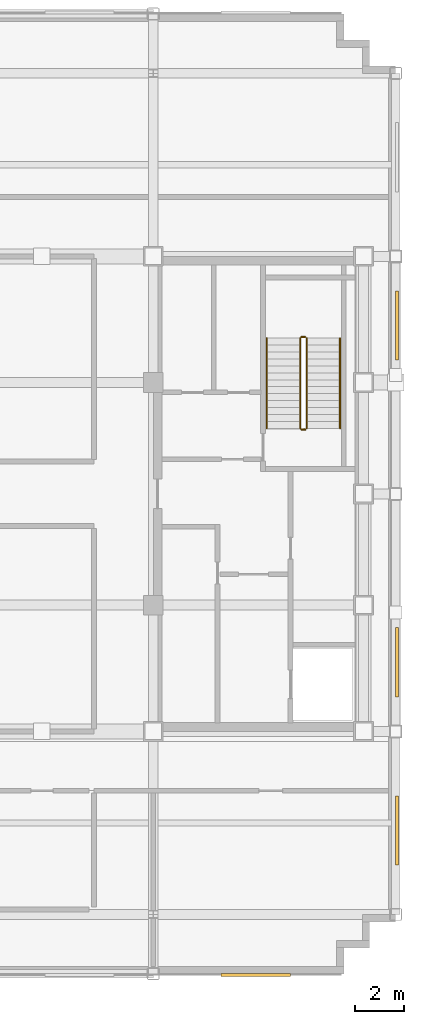
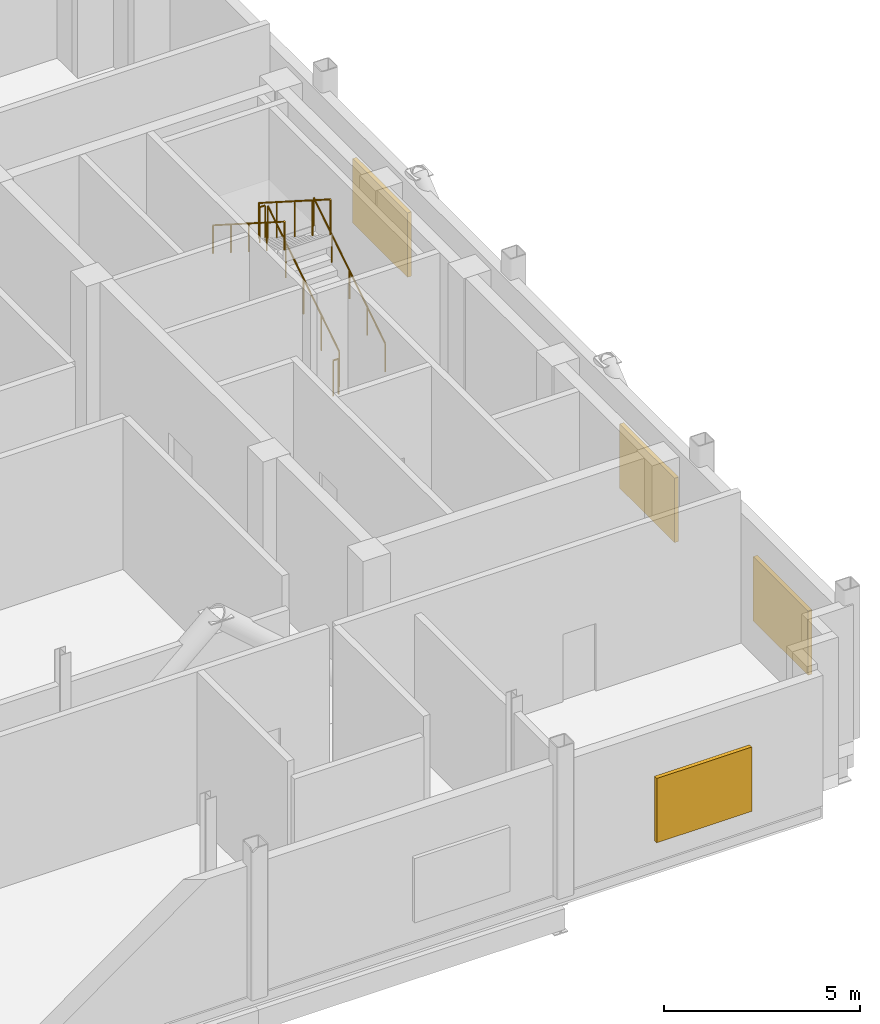
# One storey, part 11 of 12: 6 railings, 4 shading devices.
"""IFC4 building model written with IfcOpenShell, lengths in metres."""

from ifc_helpers import new_model, si_unit, direction, frame, origin, origin_2d, place, context, subcontext, project, spatial, rectangle, circle, extrude, source, transform, mapped, material, type_object, type_shapes, element, save


model = new_model("IFC4")

# Units and contexts
model_context = context("Model", 3, precision=1e-05, world=origin(), true_north=direction((0.0, 1.0)))
body_context = subcontext(model_context, "Body", "Model", "MODEL_VIEW")
ifc_project = project(units=[si_unit("LENGTHUNIT", "METRE"), si_unit("AREAUNIT", "SQUARE_METRE"), si_unit("VOLUMEUNIT", "CUBIC_METRE"), si_unit("PLANEANGLEUNIT", "RADIAN"), si_unit("MASSUNIT", "GRAM", prefix="KILO")], contexts=[model_context])

# Site, building, storey
site_placement = place(None, origin())
site = spatial("IfcSite", under=ifc_project, at=site_placement, CompositionType="ELEMENT")
building_placement = place(site_placement, origin())
building = spatial("IfcBuilding", under=site, at=building_placement, Name="Nuvemarco Arch Tower", CompositionType="ELEMENT")
storey_placement = place(building_placement, frame((0.0, 0.0, 252.949951171875)))
storey = spatial("IfcBuildingStorey", under=building, at=storey_placement, Name="L67", CompositionType="ELEMENT", Elevation=252.949951171875)

# Railings
ifc_material_1 = material(Name="Brushed stainless steel handrail", Category="steel")
railing_type_1 = type_object("IfcRailingType", Name="RL-HANDRAIL-900", PredefinedType="HANDRAIL", material=ifc_material_1)
railing_1_placement = place(storey_placement, frame((16.550048828125, 2.64990234375, 0.1787109375)))
element("IfcRailing", 1, at=railing_1_placement, inside=storey, type_object=railing_type_1, Name="L67 ST-2 stair handrail 1", PredefinedType="HANDRAIL", context=body_context, shape_type="SweptSolid", body=[
    extrude(circle(Radius=0.02392578125, at=origin_2d()), frame((0.0, 0.0, 0.8759765625), z_axis=(0.0, 0.843153495434, 0.537672933239), x_axis=(-1.0, 0.0, 0.0)), (0.0, 0.0, 1.0), 4.3173828125),
    extrude(circle(Radius=0.02099609375, at=origin_2d()), origin(), (0.0, 0.0, 1.0), 0.851806640625),
    extrude(circle(Radius=0.02099609375, at=origin_2d()), frame((0.0, 0.91015625, 0.580322265625)), (0.0, 0.0, 1.0), 0.851806640625),
    extrude(circle(Radius=0.02099609375, at=origin_2d()), frame((0.0, 1.820068359375, 1.16064453125)), (0.0, 0.0, 1.0), 0.851806640625),
    extrude(circle(Radius=0.02099609375, at=origin_2d()), frame((0.0, 2.72998046875, 1.740966796875)), (0.0, 0.0, 1.0), 0.851806640625),
    extrude(circle(Radius=0.02099609375, at=origin_2d()), frame((0.0, 3.64013671875, 2.3212890625)), (0.0, 0.0, 1.0), 0.851806640625),
])
railing_2_placement = place(storey_placement, frame((13.590087890625, 6.2900390625, 2.6787109375)))
element("IfcRailing", 2, at=railing_2_placement, inside=storey, type_object=railing_type_1, Name="L67 ST-2 stair handrail 2", PredefinedType="HANDRAIL", context=body_context, shape_type="SweptSolid", body=[
    extrude(circle(Radius=0.02392578125, at=origin_2d()), frame((0.0, 0.0, 0.8759765625), z_axis=(0.0, -0.843153495434, 0.537672933239), x_axis=(1.0, 0.0, 0.0)), (0.0, 0.0, 1.0), 4.3173828125),
    extrude(circle(Radius=0.02099609375, at=origin_2d()), origin(), (0.0, 0.0, 1.0), 0.851806640625),
    extrude(circle(Radius=0.02099609375, at=origin_2d()), frame((0.0, -0.91015625, 0.580322265625)), (0.0, 0.0, 1.0), 0.851806640625),
    extrude(circle(Radius=0.02099609375, at=origin_2d()), frame((0.0, -1.820068359375, 1.16064453125)), (0.0, 0.0, 1.0), 0.851806640625),
    extrude(circle(Radius=0.02099609375, at=origin_2d()), frame((0.0, -2.72998046875, 1.740966796875)), (0.0, 0.0, 1.0), 0.851806640625),
    extrude(circle(Radius=0.02099609375, at=origin_2d()), frame((0.0, -3.64013671875, 2.3212890625)), (0.0, 0.0, 1.0), 0.851806640625),
])
ifc_material_2 = material(Name="Painted balustrade steel S355", Category="steel")
railing_type_2 = type_object("IfcRailingType", Name="RL-STAIR-GUARD", PredefinedType="GUARDRAIL", material=ifc_material_2)
railing_3_placement = place(storey_placement, frame((15.199951171875, 2.64990234375, 0.1787109375)))
element("IfcRailing", 3, at=railing_3_placement, inside=storey, type_object=railing_type_2, Name="L67 ST-2 stair guard 1", PredefinedType="GUARDRAIL", context=body_context, shape_type="SweptSolid", body=[
    extrude(circle(Radius=0.02392578125, at=origin_2d()), frame((0.0, 0.0, 1.09619140625), z_axis=(0.0, 0.843153495434, 0.537672933239), x_axis=(-1.0, 0.0, 0.0)), (0.0, 0.0, 1.0), 4.3173828125),
    extrude(circle(Radius=0.02099609375, at=origin_2d()), origin(), (0.0, 0.0, 1.0), 1.072021484375),
    extrude(circle(Radius=0.02099609375, at=origin_2d()), frame((0.0, 0.91015625, 0.580322265625)), (0.0, 0.0, 1.0), 1.072021484375),
    extrude(circle(Radius=0.02099609375, at=origin_2d()), frame((0.0, 1.820068359375, 1.16064453125)), (0.0, 0.0, 1.0), 1.072021484375),
    extrude(circle(Radius=0.02099609375, at=origin_2d()), frame((0.0, 2.72998046875, 1.740966796875)), (0.0, 0.0, 1.0), 1.072021484375),
    extrude(circle(Radius=0.02099609375, at=origin_2d()), frame((0.0, 3.64013671875, 2.3212890625)), (0.0, 0.0, 1.0), 1.072021484375),
])
railing_4_placement = place(storey_placement, frame((15.14990234375, 6.340087890625, 2.5)))
element("IfcRailing", 4, at=railing_4_placement, inside=storey, type_object=railing_type_2, Name="L67 ST-2 stair guard 2", PredefinedType="GUARDRAIL", context=body_context, shape_type="SweptSolid", body=[
    extrude(circle(Radius=0.02392578125, at=origin_2d()), frame((0.0, 0.0, 1.09619140625), z_axis=(-1.0, 0.0, 0.0), x_axis=(0.0, -1.0, 0.0)), (0.0, 0.0, 1.0), 0.159912109375),
    extrude(circle(Radius=0.02099609375, at=origin_2d()), origin(), (0.0, 0.0, 1.0), 1.072021484375),
    extrude(circle(Radius=0.02099609375, at=origin_2d()), frame((-0.159912109375, 0.0, 0.0)), (0.0, 0.0, 1.0), 1.072021484375),
])
railing_5_placement = place(storey_placement, frame((14.93994140625, 6.2900390625, 2.6787109375)))
element("IfcRailing", 5, at=railing_5_placement, inside=storey, type_object=railing_type_2, Name="L67 ST-2 stair guard 3", PredefinedType="GUARDRAIL", context=body_context, shape_type="SweptSolid", body=[
    extrude(circle(Radius=0.02392578125, at=origin_2d()), frame((0.0, 0.0, 1.09619140625), z_axis=(0.0, -0.843153495434, 0.537672933239), x_axis=(1.0, 0.0, 0.0)), (0.0, 0.0, 1.0), 4.3173828125),
    extrude(circle(Radius=0.02099609375, at=origin_2d()), origin(), (0.0, 0.0, 1.0), 1.072021484375),
    extrude(circle(Radius=0.02099609375, at=origin_2d()), frame((0.0, -0.91015625, 0.580322265625)), (0.0, 0.0, 1.0), 1.072021484375),
    extrude(circle(Radius=0.02099609375, at=origin_2d()), frame((0.0, -1.820068359375, 1.16064453125)), (0.0, 0.0, 1.0), 1.072021484375),
    extrude(circle(Radius=0.02099609375, at=origin_2d()), frame((0.0, -2.72998046875, 1.740966796875)), (0.0, 0.0, 1.0), 1.072021484375),
    extrude(circle(Radius=0.02099609375, at=origin_2d()), frame((0.0, -3.64013671875, 2.3212890625)), (0.0, 0.0, 1.0), 1.072021484375),
])
railing_6_placement = place(storey_placement, frame((15.14990234375, 2.60009765625, 0.0)))
element("IfcRailing", 6, at=railing_6_placement, inside=storey, type_object=railing_type_2, Name="L67 ST-2 stair guard 4", PredefinedType="GUARDRAIL", context=body_context, shape_type="SweptSolid", body=[
    extrude(circle(Radius=0.02392578125, at=origin_2d()), frame((0.0, 0.0, 1.09619140625), z_axis=(-1.0, 0.0, 0.0), x_axis=(0.0, -1.0, 0.0)), (0.0, 0.0, 1.0), 0.159912109375),
    extrude(circle(Radius=0.02099609375, at=origin_2d()), origin(), (0.0, 0.0, 1.0), 1.072021484375),
    extrude(circle(Radius=0.02099609375, at=origin_2d()), frame((-0.159912109375, 0.0, 0.0)), (0.0, 0.0, 1.0), 1.072021484375),
])

# Shading devices
ifc_material_3 = material(Name="Anodised aluminium 6063-T6", Category="aluminium")
shading_device_type = type_object("IfcShadingDeviceType", Name="SHD-LOUVRE-PLANT", PredefinedType="JALOUSIE", material=ifc_material_3)
shared_shape = source(origin(), body_context, "Body", "SweptSolid", [
    extrude(rectangle(XDim=2.800048828125, YDim=0.1201171875, at=origin_2d()), origin(), (0.0, 0.0, 1.0), 2.0),
])
type_shapes(shading_device_type, [shared_shape])
for number, where, z_axis, x_axis, name in (
    (7, (13.139892578125, -19.455078125, 0.650146484375), (0.0, 0.0, 1.0), (1.0, 0.0, 0.0), "L67 acoustic plant louvre panel 5"),
    (8, (18.85498046875, -13.603271484375, 0.650146484375), (0.0, 0.0, 1.0), (0.0, 1.0, 0.0), "L67 acoustic plant louvre panel 1"),
    (9, (18.85498046875, -6.801513671875, 0.650146484375), (0.0, 0.0, 1.0), (0.0, 1.0, 0.0), "L67 acoustic plant louvre panel 2"),
    (10, (18.85498046875, 6.801513671875, 0.650146484375), (0.0, 0.0, 1.0), (0.0, 1.0, 0.0), "L67 acoustic plant louvre panel 4"),
):
    element("IfcShadingDevice", number, at=place(storey_placement, frame(where, z_axis=z_axis, x_axis=x_axis)), inside=storey, type_object=shading_device_type, Name=name, PredefinedType="JALOUSIE", context=body_context, shape_type="MappedRepresentation", body=[
        mapped(shared_shape, transform((0.0, 0.0, 0.0), scale=1.0)),
    ])

save(model, "model.ifc")
